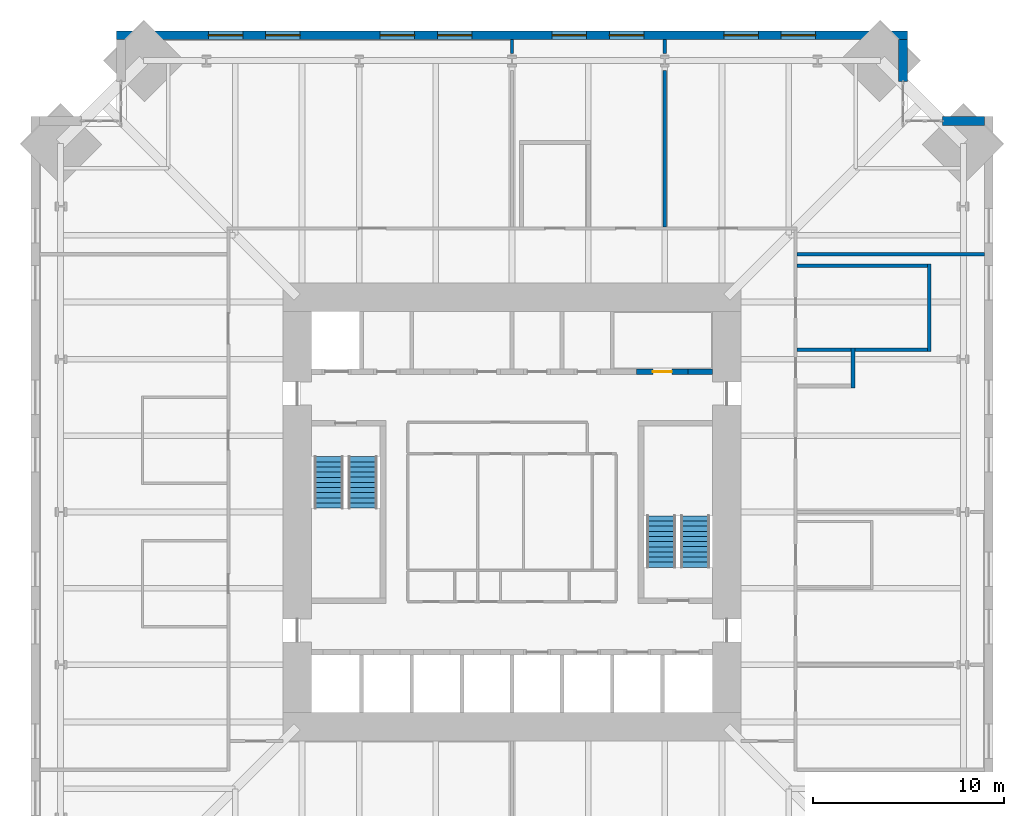
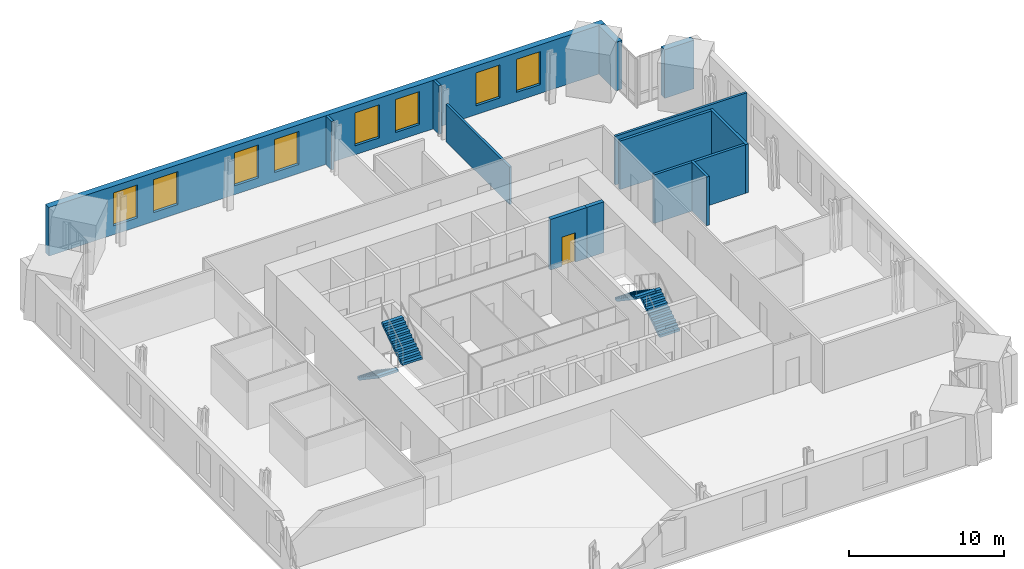
# One storey, part 14 of 15: 13 walls, 8 windows, 4 stair flights, 1 door, 9 openings, 2 elements without a shape of their own.
"""IFC4 building model written with IfcOpenShell, lengths in metres."""

from ifc_helpers import new_model, si_unit, direction, frame, frame_2d, origin, place, context, subcontext, project, spatial, polyline, rectangle, outline, extrude, material, layer, layer_set, type_object, element, fill, aggregate, save


model = new_model("IFC4")

# Units and contexts
model_context = context("Model", 3, precision=1e-05, world=origin(), true_north=direction((0.0, 1.0)))
body_context = subcontext(model_context, "Body", "Model", "MODEL_VIEW")
ifc_project = project(units=[si_unit("LENGTHUNIT", "METRE"), si_unit("AREAUNIT", "SQUARE_METRE"), si_unit("VOLUMEUNIT", "CUBIC_METRE"), si_unit("PLANEANGLEUNIT", "RADIAN"), si_unit("MASSUNIT", "GRAM", prefix="KILO")], contexts=[model_context])

# Site, building, storey
site_placement = place(None, origin())
site = spatial("IfcSite", under=ifc_project, at=site_placement, CompositionType="ELEMENT")
building_placement = place(site_placement, origin())
building = spatial("IfcBuilding", under=site, at=building_placement, Name="Peilmerk Tower", CompositionType="ELEMENT")
storey_placement = place(building_placement, frame((0.0, 0.0, 179.800048828125)))
storey = spatial("IfcBuildingStorey", under=building, at=storey_placement, Name="L38", CompositionType="ELEMENT", Elevation=179.800048828125)

# Wall, openings, windows
ifc_material_1 = material(Name="Precast concrete C45/55, board-marked finish", Category="concrete")
ifc_layer_1 = layer(ifc_material_1, 0.449951171875)
ifc_layer_set_1 = layer_set([ifc_layer_1], Name="Precast concrete C45/55, board-marked finish")
wall_type_1 = type_object("IfcWallType", Name="EW1 450 precast concrete facade wall, board-marked", PredefinedType="SOLIDWALL", material=ifc_layer_set_1)
wall_1_placement = place(storey_placement, frame((20.699951171875, 24.97509765625, 0.0), z_axis=(0.0, 0.0, 1.0), x_axis=(-1.0, 0.0, 0.0)))
wall_1 = element("IfcWall", 1, at=wall_1_placement, inside=storey, type_object=wall_type_1, Name="Facade wall N L38", PredefinedType="SOLIDWALL", context=body_context, shape_type="SweptSolid", body=[
    extrude(rectangle(XDim=41.39990234375, YDim=0.449951171875, at=frame_2d((20.699951171875, 0.0))), origin(), (0.0, 0.0, 1.0), 3.829833984375),
])
opening_1_placement = place(wall_1_placement, frame((4.800048828125, 0.0, 0.699951171875)))
opening_1 = element("IfcOpeningElement", 2, at=opening_1_placement, cuts=wall_1, Name="Opening W1", PredefinedType="OPENING", context=body_context, shape_type="SweptSolid", body=[
    extrude(rectangle(XDim=1.800048828125, YDim=2.60009765625, at=frame_2d((0.89990234375, 1.300048828125))), frame((0.0, 0.23486328125, 0.0), z_axis=(0.0, -1.0, 0.0), x_axis=(1.0, 0.0, 0.0)), (0.0, 0.0, 1.0), 0.469970703125),
])
opening_2_placement = place(wall_1_placement, frame((7.800048828125, 0.0, 0.699951171875)))
opening_2 = element("IfcOpeningElement", 3, at=opening_2_placement, cuts=wall_1, Name="Opening W1", PredefinedType="OPENING", context=body_context, shape_type="SweptSolid", body=[
    extrude(rectangle(XDim=1.800048828125, YDim=2.60009765625, at=frame_2d((0.89990234375, 1.300048828125))), frame((0.0, 0.23486328125, 0.0), z_axis=(0.0, -1.0, 0.0), x_axis=(1.0, 0.0, 0.0)), (0.0, 0.0, 1.0), 0.469970703125),
])
opening_3_placement = place(wall_1_placement, frame((13.800048828125, 0.0, 0.699951171875)))
opening_3 = element("IfcOpeningElement", 4, at=opening_3_placement, cuts=wall_1, Name="Opening W1", PredefinedType="OPENING", context=body_context, shape_type="SweptSolid", body=[
    extrude(rectangle(XDim=1.800048828125, YDim=2.60009765625, at=frame_2d((0.89990234375, 1.300048828125))), frame((0.0, 0.23486328125, 0.0), z_axis=(0.0, -1.0, 0.0), x_axis=(1.0, 0.0, 0.0)), (0.0, 0.0, 1.0), 0.469970703125),
])
opening_4_placement = place(wall_1_placement, frame((16.800048828125, 0.0, 0.699951171875)))
opening_4 = element("IfcOpeningElement", 5, at=opening_4_placement, cuts=wall_1, Name="Opening W1", PredefinedType="OPENING", context=body_context, shape_type="SweptSolid", body=[
    extrude(rectangle(XDim=1.800048828125, YDim=2.60009765625, at=frame_2d((0.89990234375, 1.300048828125))), frame((0.0, 0.23486328125, 0.0), z_axis=(0.0, -1.0, 0.0), x_axis=(1.0, 0.0, 0.0)), (0.0, 0.0, 1.0), 0.469970703125),
])
opening_5_placement = place(wall_1_placement, frame((22.800048828125, 0.0, 0.699951171875)))
opening_5 = element("IfcOpeningElement", 6, at=opening_5_placement, cuts=wall_1, Name="Opening W1", PredefinedType="OPENING", context=body_context, shape_type="SweptSolid", body=[
    extrude(rectangle(XDim=1.800048828125, YDim=2.60009765625, at=frame_2d((0.89990234375, 1.300048828125))), frame((0.0, 0.23486328125, 0.0), z_axis=(0.0, -1.0, 0.0), x_axis=(1.0, 0.0, 0.0)), (0.0, 0.0, 1.0), 0.469970703125),
])
opening_6_placement = place(wall_1_placement, frame((25.800048828125, 0.0, 0.699951171875)))
opening_6 = element("IfcOpeningElement", 7, at=opening_6_placement, cuts=wall_1, Name="Opening W1", PredefinedType="OPENING", context=body_context, shape_type="SweptSolid", body=[
    extrude(rectangle(XDim=1.800048828125, YDim=2.60009765625, at=frame_2d((0.89990234375, 1.300048828125))), frame((0.0, 0.23486328125, 0.0), z_axis=(0.0, -1.0, 0.0), x_axis=(1.0, 0.0, 0.0)), (0.0, 0.0, 1.0), 0.469970703125),
])
opening_7_placement = place(wall_1_placement, frame((31.800048828125, 0.0, 0.699951171875)))
opening_7 = element("IfcOpeningElement", 8, at=opening_7_placement, cuts=wall_1, Name="Opening W1", PredefinedType="OPENING", context=body_context, shape_type="SweptSolid", body=[
    extrude(rectangle(XDim=1.800048828125, YDim=2.60009765625, at=frame_2d((0.89990234375, 1.300048828125))), frame((0.0, 0.23486328125, 0.0), z_axis=(0.0, -1.0, 0.0), x_axis=(1.0, 0.0, 0.0)), (0.0, 0.0, 1.0), 0.469970703125),
])
opening_8_placement = place(wall_1_placement, frame((34.800048828125, 0.0, 0.699951171875)))
opening_8 = element("IfcOpeningElement", 9, at=opening_8_placement, cuts=wall_1, Name="Opening W1", PredefinedType="OPENING", context=body_context, shape_type="SweptSolid", body=[
    extrude(rectangle(XDim=1.800048828125, YDim=2.60009765625, at=frame_2d((0.89990234375, 1.300048828125))), frame((0.0, 0.23486328125, 0.0), z_axis=(0.0, -1.0, 0.0), x_axis=(1.0, 0.0, 0.0)), (0.0, 0.0, 1.0), 0.469970703125),
])
ifc_material_2 = material(Name="Aluminium frame, clear double glazing", Category="aluminium")
window_type = type_object("IfcWindowType", Name="W1 1800x2600 office window", PartitioningType="SINGLE_PANEL", PredefinedType="WINDOW", material=ifc_material_2)
window_1_placement = place(opening_1_placement, origin())
window_1 = element("IfcWindow", 10, at=window_1_placement, inside=storey, type_object=window_type, Name="Window W1 L38", OverallHeight=2.60009765625, OverallWidth=1.800048828125, PartitioningType="SINGLE_PANEL", PredefinedType="WINDOW", context=body_context, shape_type="SweptSolid", body=[
    extrude(rectangle(XDim=1.800048828125, YDim=2.60009765625, at=frame_2d((0.89990234375, 1.300048828125))), frame((0.0, 0.030029296875, 0.0), z_axis=(0.0, -1.0, 0.0), x_axis=(1.0, 0.0, 0.0)), (0.0, 0.0, 1.0), 0.06005859375),
])
fill(opening_1, window_1)
window_2_placement = place(opening_2_placement, origin())
window_2 = element("IfcWindow", 11, at=window_2_placement, inside=storey, type_object=window_type, Name="Window W1 L38", OverallHeight=2.60009765625, OverallWidth=1.800048828125, PartitioningType="SINGLE_PANEL", PredefinedType="WINDOW", context=body_context, shape_type="SweptSolid", body=[
    extrude(rectangle(XDim=1.800048828125, YDim=2.60009765625, at=frame_2d((0.89990234375, 1.300048828125))), frame((0.0, 0.030029296875, 0.0), z_axis=(0.0, -1.0, 0.0), x_axis=(1.0, 0.0, 0.0)), (0.0, 0.0, 1.0), 0.06005859375),
])
fill(opening_2, window_2)
window_3_placement = place(opening_3_placement, origin())
window_3 = element("IfcWindow", 12, at=window_3_placement, inside=storey, type_object=window_type, Name="Window W1 L38", OverallHeight=2.60009765625, OverallWidth=1.800048828125, PartitioningType="SINGLE_PANEL", PredefinedType="WINDOW", context=body_context, shape_type="SweptSolid", body=[
    extrude(rectangle(XDim=1.800048828125, YDim=2.60009765625, at=frame_2d((0.89990234375, 1.300048828125))), frame((0.0, 0.030029296875, 0.0), z_axis=(0.0, -1.0, 0.0), x_axis=(1.0, 0.0, 0.0)), (0.0, 0.0, 1.0), 0.06005859375),
])
fill(opening_3, window_3)
window_4_placement = place(opening_4_placement, origin())
window_4 = element("IfcWindow", 13, at=window_4_placement, inside=storey, type_object=window_type, Name="Window W1 L38", OverallHeight=2.60009765625, OverallWidth=1.800048828125, PartitioningType="SINGLE_PANEL", PredefinedType="WINDOW", context=body_context, shape_type="SweptSolid", body=[
    extrude(rectangle(XDim=1.800048828125, YDim=2.60009765625, at=frame_2d((0.89990234375, 1.300048828125))), frame((0.0, 0.030029296875, 0.0), z_axis=(0.0, -1.0, 0.0), x_axis=(1.0, 0.0, 0.0)), (0.0, 0.0, 1.0), 0.06005859375),
])
fill(opening_4, window_4)
window_5_placement = place(opening_5_placement, origin())
window_5 = element("IfcWindow", 14, at=window_5_placement, inside=storey, type_object=window_type, Name="Window W1 L38", OverallHeight=2.60009765625, OverallWidth=1.800048828125, PartitioningType="SINGLE_PANEL", PredefinedType="WINDOW", context=body_context, shape_type="SweptSolid", body=[
    extrude(rectangle(XDim=1.800048828125, YDim=2.60009765625, at=frame_2d((0.89990234375, 1.300048828125))), frame((0.0, 0.030029296875, 0.0), z_axis=(0.0, -1.0, 0.0), x_axis=(1.0, 0.0, 0.0)), (0.0, 0.0, 1.0), 0.06005859375),
])
fill(opening_5, window_5)
window_6_placement = place(opening_6_placement, origin())
window_6 = element("IfcWindow", 15, at=window_6_placement, inside=storey, type_object=window_type, Name="Window W1 L38", OverallHeight=2.60009765625, OverallWidth=1.800048828125, PartitioningType="SINGLE_PANEL", PredefinedType="WINDOW", context=body_context, shape_type="SweptSolid", body=[
    extrude(rectangle(XDim=1.800048828125, YDim=2.60009765625, at=frame_2d((0.89990234375, 1.300048828125))), frame((0.0, 0.030029296875, 0.0), z_axis=(0.0, -1.0, 0.0), x_axis=(1.0, 0.0, 0.0)), (0.0, 0.0, 1.0), 0.06005859375),
])
fill(opening_6, window_6)
window_7_placement = place(opening_7_placement, origin())
window_7 = element("IfcWindow", 16, at=window_7_placement, inside=storey, type_object=window_type, Name="Window W1 L38", OverallHeight=2.60009765625, OverallWidth=1.800048828125, PartitioningType="SINGLE_PANEL", PredefinedType="WINDOW", context=body_context, shape_type="SweptSolid", body=[
    extrude(rectangle(XDim=1.800048828125, YDim=2.60009765625, at=frame_2d((0.89990234375, 1.300048828125))), frame((0.0, 0.030029296875, 0.0), z_axis=(0.0, -1.0, 0.0), x_axis=(1.0, 0.0, 0.0)), (0.0, 0.0, 1.0), 0.06005859375),
])
fill(opening_7, window_7)
window_8_placement = place(opening_8_placement, origin())
window_8 = element("IfcWindow", 17, at=window_8_placement, inside=storey, type_object=window_type, Name="Window W1 L38", OverallHeight=2.60009765625, OverallWidth=1.800048828125, PartitioningType="SINGLE_PANEL", PredefinedType="WINDOW", context=body_context, shape_type="SweptSolid", body=[
    extrude(rectangle(XDim=1.800048828125, YDim=2.60009765625, at=frame_2d((0.89990234375, 1.300048828125))), frame((0.0, 0.030029296875, 0.0), z_axis=(0.0, -1.0, 0.0), x_axis=(1.0, 0.0, 0.0)), (0.0, 0.0, 1.0), 0.06005859375),
])
fill(opening_8, window_8)

# Walls
for number, where, z_axis, x_axis, name in (
    (18, (20.47509765625, 22.5537109375, 0.0), (0.0, 0.0, 1.0), (0.0, 1.0, 0.0), "Facade wall NEA L38"),
    (19, (22.5537109375, 20.47509765625, 0.0), (0.0, 0.0, 1.0), (1.0, 0.0, 0.0), "Facade wall NEB L38"),
):
    element("IfcWall", number, at=place(storey_placement, frame(where, z_axis=z_axis, x_axis=x_axis)), inside=storey, type_object=wall_type_1, Name=name, PredefinedType="SOLIDWALL", context=body_context, shape_type="SweptSolid", body=[
        extrude(rectangle(XDim=2.1962890625, YDim=0.449951171875, at=frame_2d((1.09814453125, 0.0))), origin(), (0.0, 0.0, 1.0), 3.829833984375),
    ])
ifc_material_3 = material(Name="Calcium silicate block", Category="masonry")
ifc_layer_2 = layer(ifc_material_3, 0.199951171875)
ifc_layer_set_2 = layer_set([ifc_layer_2], Name="Calcium silicate block")
wall_type_2 = type_object("IfcWallType", Name="IW2 200 room separating wall, EI 120", PredefinedType="PARTITIONING", material=ifc_layer_set_2)
wall_2_placement = place(storey_placement, frame((17.85009765625, 6.5, 0.0), z_axis=(0.0, 0.0, 1.0), x_axis=(0.0, 1.0, 0.0)))
element("IfcWall", 20, at=wall_2_placement, inside=storey, type_object=wall_type_2, Name="Room separating wall Ablution room L38", PredefinedType="PARTITIONING", context=body_context, shape_type="SweptSolid", body=[
    extrude(rectangle(XDim=2.10009765625, YDim=0.199951171875, at=frame_2d((1.050048828125, 0.0))), origin(), (0.0, 0.0, 1.0), 3.829833984375),
])
wall_3_placement = place(storey_placement, frame((21.85009765625, 8.39990234375, 0.0), z_axis=(0.0, 0.0, 1.0), x_axis=(0.0, 1.0, 0.0)))
element("IfcWall", 21, at=wall_3_placement, inside=storey, type_object=wall_type_2, Name="Room separating wall Prayer room L38", PredefinedType="PARTITIONING", context=body_context, shape_type="SweptSolid", body=[
    extrude(rectangle(XDim=4.60009765625, YDim=0.199951171875, at=frame_2d((2.300048828125, 0.0))), origin(), (0.0, 0.0, 1.0), 3.829833984375),
])
for number, where, z_axis, x_axis, name in (
    (22, (14.925048828125, 8.5, 0.0), (0.0, 0.0, 1.0), (1.0, 0.0, 0.0), "Room separating wall Prayer room L38"),
    (23, (14.925048828125, 12.89990234375, 0.0), (0.0, 0.0, 1.0), (1.0, 0.0, 0.0), "Room separating wall Prayer room L38"),
):
    element("IfcWall", number, at=place(storey_placement, frame(where, z_axis=z_axis, x_axis=x_axis)), inside=storey, type_object=wall_type_2, Name=name, PredefinedType="PARTITIONING", context=body_context, shape_type="SweptSolid", body=[
        extrude(rectangle(XDim=6.824951171875, YDim=0.199951171875, at=frame_2d((3.41259765625, 0.0))), origin(), (0.0, 0.0, 1.0), 3.829833984375),
    ])
ifc_layer_3 = layer(ifc_material_3, 0.175048828125)
ifc_layer_set_3 = layer_set([ifc_layer_3], Name="Calcium silicate block")
wall_type_3 = type_object("IfcWallType", Name="IW8 175 tenant separating wall, EI 60", PredefinedType="PARTITIONING", material=ifc_layer_set_3)
wall_4_placement = place(storey_placement, frame((14.925048828125, 13.5, 0.0), z_axis=(0.0, 0.0, 1.0), x_axis=(1.0, 0.0, 0.0)))
element("IfcWall", 24, at=wall_4_placement, inside=storey, type_object=wall_type_3, Name="Tenant separating wall NE L38", PredefinedType="PARTITIONING", context=body_context, shape_type="SweptSolid", body=[
    extrude(rectangle(XDim=9.824951171875, YDim=0.175048828125, at=frame_2d((4.91259765625, 0.0))), origin(), (0.0, 0.0, 1.0), 3.829833984375),
])
wall_5_placement = place(storey_placement, frame((0.0, 24.0107421875, 0.0), z_axis=(0.0, 0.0, 1.0), x_axis=(0.0, 1.0, 0.0)))
element("IfcWall", 25, at=wall_5_placement, inside=storey, type_object=wall_type_3, Name="Tenant separating wall N1b L38", PredefinedType="PARTITIONING", context=body_context, shape_type="SweptSolid", body=[
    extrude(rectangle(XDim=0.7392578125, YDim=0.175048828125, at=frame_2d((0.36962890625, 0.0))), origin(), (0.0, 0.0, 1.0), 3.829833984375),
])
wall_6_placement = place(storey_placement, frame((8.0, 14.925048828125, 0.0), z_axis=(0.0, 0.0, 1.0), x_axis=(0.0, 1.0, 0.0)))
element("IfcWall", 26, at=wall_6_placement, inside=storey, type_object=wall_type_3, Name="Tenant separating wall N2 L38", PredefinedType="PARTITIONING", context=body_context, shape_type="SweptSolid", body=[
    extrude(rectangle(XDim=8.196533203125, YDim=0.175048828125, at=frame_2d((4.09814453125, 0.0))), origin(), (0.0, 0.0, 1.0), 2.93994140625),
])
wall_7_placement = place(storey_placement, frame((8.0, 24.0107421875, 0.0), z_axis=(0.0, 0.0, 1.0), x_axis=(0.0, 1.0, 0.0)))
element("IfcWall", 27, at=wall_7_placement, inside=storey, type_object=wall_type_3, Name="Tenant separating wall N2b L38", PredefinedType="PARTITIONING", context=body_context, shape_type="SweptSolid", body=[
    extrude(rectangle(XDim=0.7392578125, YDim=0.175048828125, at=frame_2d((0.36962890625, 0.0))), origin(), (0.0, 0.0, 1.0), 3.829833984375),
])

# Wall, opening, door
ifc_layer_4 = layer(ifc_material_3, 0.300048828125)
ifc_layer_set_4 = layer_set([ifc_layer_4], Name="Calcium silicate block")
wall_type_4 = type_object("IfcWallType", Name="SH2 300 lift landing door panel, EI 120", PredefinedType="PARTITIONING", material=ifc_layer_set_4)
wall_8_placement = place(storey_placement, frame((6.52490234375, 7.35009765625, 0.0), z_axis=(0.0, 0.0, 1.0), x_axis=(1.0, 0.0, 0.0)))
wall_8 = element("IfcWall", 28, at=wall_8_placement, inside=storey, type_object=wall_type_4, Name="Lift door panel N GL1 L38", PredefinedType="PARTITIONING", context=body_context, shape_type="SweptSolid", body=[
    extrude(rectangle(XDim=2.7001953125, YDim=0.300048828125, at=frame_2d((1.35009765625, 0.0))), origin(), (0.0, 0.0, 1.0), 4.0),
])
opening_9_placement = place(wall_8_placement, frame((0.85009765625, 0.0, 0.0)))
opening_9 = element("IfcOpeningElement", 29, at=opening_9_placement, cuts=wall_8, Name="Opening D10", PredefinedType="OPENING", context=body_context, shape_type="SweptSolid", body=[
    extrude(rectangle(XDim=1.0, YDim=2.300048828125, at=frame_2d((0.5, 1.14990234375))), frame((0.0, 0.159912109375, 0.0), z_axis=(0.0, -1.0, 0.0), x_axis=(1.0, 0.0, 0.0)), (0.0, 0.0, 1.0), 0.320068359375),
])
ifc_material_4 = material(Name="Steel door in steel frame", Category="steel")
door_type = type_object("IfcDoorType", Name="D10 1000x2300 core room door, EI2 60", OperationType="SINGLE_SWING_RIGHT", PredefinedType="DOOR", material=ifc_material_4)
door_placement = place(opening_9_placement, origin())
door = element("IfcDoor", 30, at=door_placement, inside=storey, type_object=door_type, Name="Door Pantry L38", OperationType="SINGLE_SWING_RIGHT", OverallHeight=2.300048828125, OverallWidth=1.0, PredefinedType="DOOR", context=body_context, shape_type="SweptSolid", body=[
    extrude(rectangle(XDim=1.0, YDim=2.300048828125, at=frame_2d((0.5, 1.14990234375))), frame((0.0, 0.02490234375, 0.0), z_axis=(0.0, -1.0, 0.0), x_axis=(1.0, 0.0, 0.0)), (0.0, 0.0, 1.0), 0.050048828125),
])
fill(opening_9, door)

# Wall
ifc_material_5 = material(Name="Concrete C55/67", Category="concrete")
ifc_layer_5 = layer(ifc_material_5, 0.300048828125)
ifc_layer_set_5 = layer_set([ifc_layer_5], Name="Concrete C55/67")
wall_type_5 = type_object("IfcWallType", Name="SW2 300 lift bank pier", PredefinedType="SHEAR", material=ifc_layer_set_5)
wall_9_placement = place(storey_placement, frame((9.22509765625, 7.35009765625, 0.0), z_axis=(0.0, 0.0, 1.0), x_axis=(1.0, 0.0, 0.0)))
element("IfcWall", 31, at=wall_9_placement, inside=storey, type_object=wall_type_5, Name="Lift bank pier N L38", PredefinedType="SHEAR", context=body_context, shape_type="SweptSolid", body=[
    extrude(rectangle(XDim=1.27490234375, YDim=0.300048828125, at=frame_2d((0.637451171875, 0.0))), origin(), (0.0, 0.0, 1.0), 4.0),
])

# Stair, stair flights
ifc_material_6 = material(Name="Precast concrete C45/55", Category="concrete")
stair_type_1 = type_object("IfcStairType", Name="ST1 22 risers of 181.8", PredefinedType="HALF_TURN_STAIR", material=ifc_material_6)
stair_1_placement = place(storey_placement, origin())
stair_1 = element("IfcStair", 32, at=stair_1_placement, inside=storey, type_object=stair_type_1, Name="Stair 1 L38 to L39", PredefinedType="HALF_TURN_STAIR")
stair_flight_type = type_object("IfcStairFlightType", Name="SF11 flight, 11 risers of 181.8", PredefinedType="STRAIGHT", material=ifc_material_6)
stair_flight_1_placement = place(storey_placement, frame((-9.60009765625, 2.89990234375, 0.0), z_axis=(0.0, 0.0, 1.0), x_axis=(0.0, -1.0, 0.0)))
stair_flight_1 = element("IfcStairFlight", 33, at=stair_flight_1_placement, type_object=stair_flight_type, Name="ST1 flight 1", NumberOfRisers=11, NumberOfTreads=10, PredefinedType="STRAIGHT", RiserHeight=0.181818182, TreadLength=0.27, context=body_context, shape_type="SweptSolid", body=[
    extrude(outline(polyline([(0.0, 0.0), (0.0, 0.181884765625), (0.27001953125, 0.181884765625), (0.27001953125, 0.363525390625), (0.5400390625, 0.363525390625), (0.5400390625, 0.54541015625), (0.81005859375, 0.54541015625), (0.81005859375, 0.727294921875), (1.080078125, 0.727294921875), (1.080078125, 0.9091796875), (1.35009765625, 0.9091796875), (1.35009765625, 1.0908203125), (1.6201171875, 1.0908203125), (1.6201171875, 1.272705078125), (1.889892578125, 1.272705078125), (1.889892578125, 1.45458984375), (2.159912109375, 1.45458984375), (2.159912109375, 1.636474609375), (2.429931640625, 1.636474609375), (2.429931640625, 1.818115234375), (2.699951171875, 1.818115234375), (2.699951171875, 2.0), (2.699951171875, 1.637451171875), (0.268310546875, 0.0), (0.0, 0.0)])), frame((0.0, 0.75, 0.0), z_axis=(0.0, -1.0, 0.0), x_axis=(1.0, 0.0, 0.0)), (0.0, 0.0, 1.0), 1.5),
])
stair_flight_2_placement = place(storey_placement, frame((-7.800048828125, 0.199951171875, 2.0), z_axis=(0.0, 0.0, 1.0), x_axis=(0.0, 1.0, 0.0)))
stair_flight_2 = element("IfcStairFlight", 34, at=stair_flight_2_placement, type_object=stair_flight_type, Name="ST1 flight 2", NumberOfRisers=11, NumberOfTreads=10, PredefinedType="STRAIGHT", RiserHeight=0.181818182, TreadLength=0.27, context=body_context, shape_type="SweptSolid", body=[
    extrude(outline(polyline([(0.0, 0.0), (0.0, 0.181884765625), (0.27001953125, 0.181884765625), (0.27001953125, 0.363525390625), (0.5400390625, 0.363525390625), (0.5400390625, 0.54541015625), (0.81005859375, 0.54541015625), (0.81005859375, 0.727294921875), (1.080078125, 0.727294921875), (1.080078125, 0.9091796875), (1.35009765625, 0.9091796875), (1.35009765625, 1.0908203125), (1.6201171875, 1.0908203125), (1.6201171875, 1.272705078125), (1.889892578125, 1.272705078125), (1.889892578125, 1.45458984375), (2.159912109375, 1.45458984375), (2.159912109375, 1.636474609375), (2.429931640625, 1.636474609375), (2.429931640625, 1.818115234375), (2.699951171875, 1.818115234375), (2.699951171875, 2.0), (2.699951171875, 1.637451171875), (0.268310546875, 0.0), (0.0, 0.0)])), frame((0.0, 0.75, 0.0), z_axis=(0.0, -1.0, 0.0), x_axis=(1.0, 0.0, 0.0)), (0.0, 0.0, 1.0), 1.5),
])
aggregate(stair_1, [stair_flight_1, stair_flight_2])

stair_type_2 = type_object("IfcStairType", Name="ST2 22 risers of 181.8", PredefinedType="HALF_TURN_STAIR", material=ifc_material_6)
stair_2_placement = place(storey_placement, origin())
stair_2 = element("IfcStair", 35, at=stair_2_placement, inside=storey, type_object=stair_type_2, Name="Stair 2 L38 to L39", PredefinedType="HALF_TURN_STAIR")
stair_flight_3_placement = place(storey_placement, frame((9.60009765625, -2.89990234375, 0.0), z_axis=(0.0, 0.0, 1.0), x_axis=(0.0, 1.0, 0.0)))
stair_flight_3 = element("IfcStairFlight", 36, at=stair_flight_3_placement, type_object=stair_flight_type, Name="ST2 flight 1", NumberOfRisers=11, NumberOfTreads=10, PredefinedType="STRAIGHT", RiserHeight=0.181818182, TreadLength=0.27, context=body_context, shape_type="SweptSolid", body=[
    extrude(outline(polyline([(0.0, 0.0), (0.0, 0.181884765625), (0.27001953125, 0.181884765625), (0.27001953125, 0.363525390625), (0.5400390625, 0.363525390625), (0.5400390625, 0.54541015625), (0.81005859375, 0.54541015625), (0.81005859375, 0.727294921875), (1.080078125, 0.727294921875), (1.080078125, 0.9091796875), (1.35009765625, 0.9091796875), (1.35009765625, 1.0908203125), (1.6201171875, 1.0908203125), (1.6201171875, 1.272705078125), (1.889892578125, 1.272705078125), (1.889892578125, 1.45458984375), (2.159912109375, 1.45458984375), (2.159912109375, 1.636474609375), (2.429931640625, 1.636474609375), (2.429931640625, 1.818115234375), (2.699951171875, 1.818115234375), (2.699951171875, 2.0), (2.699951171875, 1.637451171875), (0.268310546875, 0.0), (0.0, 0.0)])), frame((0.0, 0.75, 0.0), z_axis=(0.0, -1.0, 0.0), x_axis=(1.0, 0.0, 0.0)), (0.0, 0.0, 1.0), 1.5),
])
stair_flight_4_placement = place(storey_placement, frame((7.800048828125, -0.199951171875, 2.0), z_axis=(0.0, 0.0, 1.0), x_axis=(0.0, -1.0, 0.0)))
stair_flight_4 = element("IfcStairFlight", 37, at=stair_flight_4_placement, type_object=stair_flight_type, Name="ST2 flight 2", NumberOfRisers=11, NumberOfTreads=10, PredefinedType="STRAIGHT", RiserHeight=0.181818182, TreadLength=0.27, context=body_context, shape_type="SweptSolid", body=[
    extrude(outline(polyline([(0.0, 0.0), (0.0, 0.181884765625), (0.27001953125, 0.181884765625), (0.27001953125, 0.363525390625), (0.5400390625, 0.363525390625), (0.5400390625, 0.54541015625), (0.81005859375, 0.54541015625), (0.81005859375, 0.727294921875), (1.080078125, 0.727294921875), (1.080078125, 0.9091796875), (1.35009765625, 0.9091796875), (1.35009765625, 1.0908203125), (1.6201171875, 1.0908203125), (1.6201171875, 1.272705078125), (1.889892578125, 1.272705078125), (1.889892578125, 1.45458984375), (2.159912109375, 1.45458984375), (2.159912109375, 1.636474609375), (2.429931640625, 1.636474609375), (2.429931640625, 1.818115234375), (2.699951171875, 1.818115234375), (2.699951171875, 2.0), (2.699951171875, 1.637451171875), (0.268310546875, 0.0), (0.0, 0.0)])), frame((0.0, 0.75, 0.0), z_axis=(0.0, -1.0, 0.0), x_axis=(1.0, 0.0, 0.0)), (0.0, 0.0, 1.0), 1.5),
])
aggregate(stair_2, [stair_flight_3, stair_flight_4])

save(model, "model.ifc")
